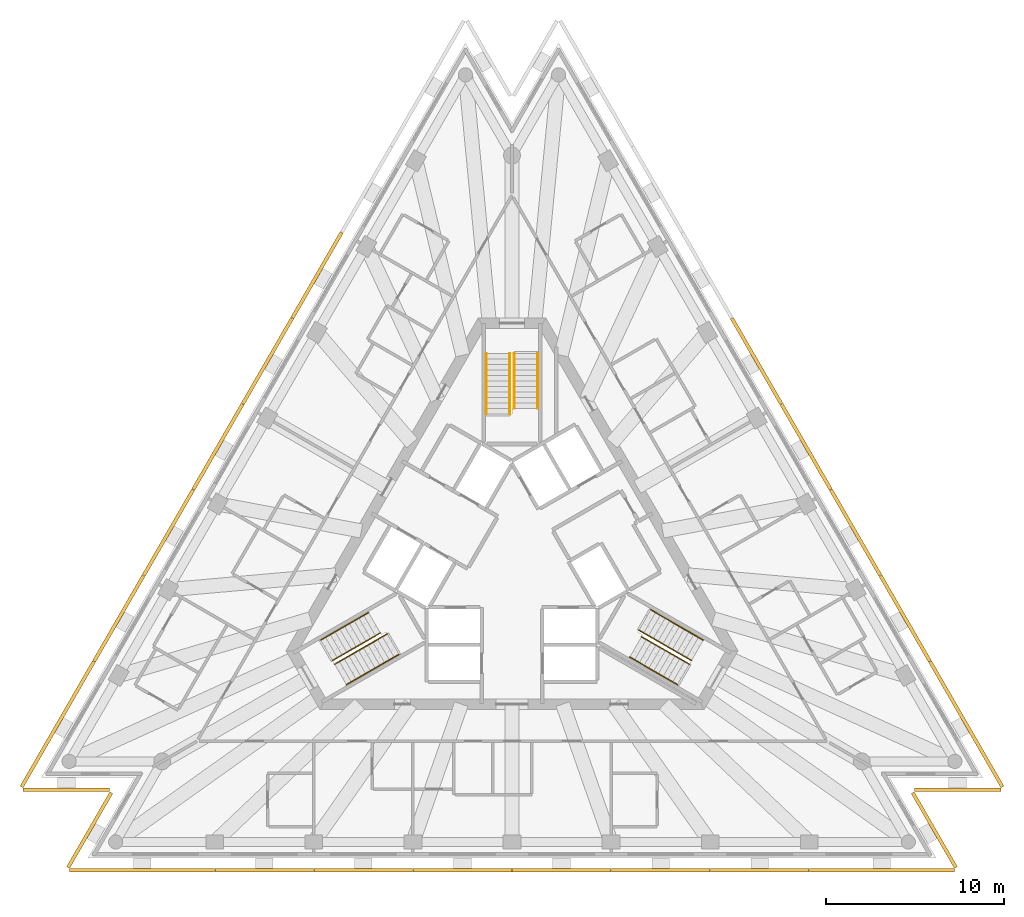
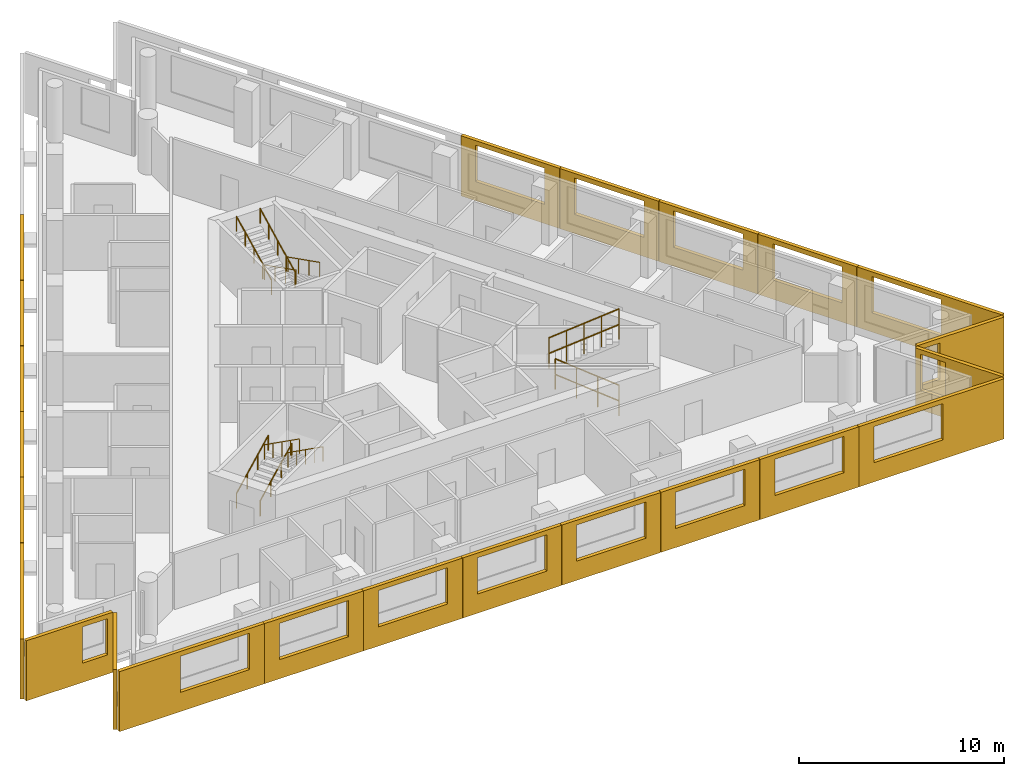
# One storey, part 9 of 10: 23 shading devices, 12 railings, 3 elements without a shape of their own.
"""IFC4 building model written with IfcOpenShell, lengths in metres."""

from ifc_helpers import new_model, si_unit, direction, frame, origin, origin_2d, place, context, subcontext, project, spatial, polyline, circle, outline, extrude, material, layer, layer_set, type_object, element, aggregate, save


model = new_model("IFC4")

# Units and contexts
model_context = context("Model", 3, precision=1e-05, world=origin(), true_north=direction((0.0, 1.0)))
body_context = subcontext(model_context, "Body", "Model", "MODEL_VIEW")
ifc_project = project(units=[si_unit("LENGTHUNIT", "METRE"), si_unit("AREAUNIT", "SQUARE_METRE"), si_unit("VOLUMEUNIT", "CUBIC_METRE"), si_unit("PLANEANGLEUNIT", "RADIAN"), si_unit("MASSUNIT", "GRAM", prefix="KILO")], contexts=[model_context])

# Site, building, storey
site_placement = place(None, origin())
site = spatial("IfcSite", under=ifc_project, at=site_placement, CompositionType="ELEMENT")
building_placement = place(site_placement, origin())
building = spatial("IfcBuilding", under=site, at=building_placement, Name="Triada Interchange Tower", CompositionType="ELEMENT")
storey_placement = place(building_placement, frame((0.0, 0.0, 275.5)))
storey = spatial("IfcBuildingStorey", under=building, at=storey_placement, Name="L64", CompositionType="ELEMENT", Elevation=275.5)

# Shading devices
ifc_material_1 = material(Name="Concrete C50/60 precast", Category="concrete")
ifc_layer_1 = layer(ifc_material_1, 0.02001953125, Name="Exposed aggregate face")
ifc_layer_2 = layer(ifc_material_1, 0.179931640625, Name="Precast concrete screen")
ifc_layer_set = layer_set([ifc_layer_1, ifc_layer_2], Name="Outer skin screen panel 3580")
shading_device_type = type_object("IfcShadingDeviceType", Name="Outer skin screen panel 3580", PredefinedType="SHUTTER", material=ifc_layer_set)
shading_device_1_placement = place(storey_placement, frame((-9.507080078125, 18.366943359375, -0.2900390625), z_axis=(0.0, 0.0, 1.0), x_axis=(-0.500072058625, -0.86598379672, 0.0)))
element("IfcShadingDevice", 1, at=shading_device_1_placement, inside=storey, type_object=shading_device_type, Name="Outer skin screen panel L64 03", PredefinedType="SHUTTER", context=body_context, shape_type="SweptSolid", body=[
    extrude(outline(polyline([(0.0, 0.0), (5.561279296875, 0.0), (5.561279296875, 3.580078125), (0.0, 3.580078125), (0.0, 0.0)]), holes=[polyline([(0.830810546875, 1.139892578125), (0.830810546875, 3.300048828125), (4.730712890625, 3.300048828125), (4.730712890625, 1.139892578125), (0.830810546875, 1.139892578125)])]), frame((0.0, 0.0, 0.0), z_axis=(0.0, -1.0, 0.0), x_axis=(1.0, 0.0, 0.0)), (0.0, 0.0, 1.0), 0.199951171875),
])
shading_device_2_placement = place(storey_placement, frame((-12.298095703125, 13.532958984375, -0.2900390625), z_axis=(0.0, 0.0, 1.0), x_axis=(-0.500072058625, -0.86598379672, 0.0)))
element("IfcShadingDevice", 2, at=shading_device_2_placement, inside=storey, type_object=shading_device_type, Name="Outer skin screen panel L64 04", PredefinedType="SHUTTER", context=body_context, shape_type="SweptSolid", body=[
    extrude(outline(polyline([(0.0, 0.0), (5.561279296875, 0.0), (5.561279296875, 3.580078125), (0.0, 3.580078125), (0.0, 0.0)]), holes=[polyline([(0.830322265625, 1.139892578125), (0.830322265625, 3.300048828125), (4.73046875, 3.300048828125), (4.73046875, 1.139892578125), (0.830322265625, 1.139892578125)])]), frame((0.0, 0.0, 0.0), z_axis=(0.0, -1.0, 0.0), x_axis=(1.0, 0.0, 0.0)), (0.0, 0.0, 1.0), 0.199951171875),
])
shading_device_3_placement = place(storey_placement, frame((-15.089111328125, 8.699951171875, -0.2900390625), z_axis=(0.0, 0.0, 1.0), x_axis=(-0.499907419982, -0.866078848285, 0.0)))
element("IfcShadingDevice", 3, at=shading_device_3_placement, inside=storey, type_object=shading_device_type, Name="Outer skin screen panel L64 05", PredefinedType="SHUTTER", context=body_context, shape_type="SweptSolid", body=[
    extrude(outline(polyline([(0.0, 0.0), (5.560546875, 0.0), (5.560546875, 3.580078125), (0.0, 3.580078125), (0.0, 0.0)]), holes=[polyline([(0.8310546875, 1.139892578125), (0.8310546875, 3.300048828125), (4.731201171875, 3.300048828125), (4.731201171875, 1.139892578125), (0.8310546875, 1.139892578125)])]), frame((0.0, 0.0, 0.0), z_axis=(0.0, -1.0, 0.0), x_axis=(1.0, 0.0, 0.0)), (0.0, 0.0, 1.0), 0.199951171875),
])
shading_device_4_placement = place(storey_placement, frame((-17.87890625, 3.865966796875, -0.2900390625), z_axis=(0.0, 0.0, 1.0), x_axis=(-0.500072058625, -0.86598379672, 0.0)))
element("IfcShadingDevice", 4, at=shading_device_4_placement, inside=storey, type_object=shading_device_type, Name="Outer skin screen panel L64 06", PredefinedType="SHUTTER", context=body_context, shape_type="SweptSolid", body=[
    extrude(outline(polyline([(0.0, 0.0), (5.561279296875, 0.0), (5.561279296875, 3.580078125), (0.0, 3.580078125), (0.0, 0.0)]), holes=[polyline([(0.830810546875, 1.139892578125), (0.830810546875, 3.300048828125), (4.730712890625, 3.300048828125), (4.730712890625, 1.139892578125), (0.830810546875, 1.139892578125)])]), frame((0.0, 0.0, 0.0), z_axis=(0.0, -1.0, 0.0), x_axis=(1.0, 0.0, 0.0)), (0.0, 0.0, 1.0), 0.199951171875),
])
shading_device_5_placement = place(storey_placement, frame((-20.669921875, -0.967041015625, -0.2900390625), z_axis=(0.0, 0.0, 1.0), x_axis=(-0.499996022837, -0.866027699989, 0.0)))
element("IfcShadingDevice", 5, at=shading_device_5_placement, inside=storey, type_object=shading_device_type, Name="Outer skin screen panel L64 07", PredefinedType="SHUTTER", context=body_context, shape_type="SweptSolid", body=[
    extrude(outline(polyline([(0.0, 0.0), (5.56201171875, 0.0), (5.56201171875, 3.580078125), (0.0, 3.580078125), (0.0, 0.0)]), holes=[polyline([(0.830322265625, 1.139892578125), (0.830322265625, 3.300048828125), (4.73046875, 3.300048828125), (4.73046875, 1.139892578125), (0.830322265625, 1.139892578125)])]), frame((0.0, 0.0, 0.0), z_axis=(0.0, -1.0, 0.0), x_axis=(1.0, 0.0, 0.0)), (0.0, 0.0, 1.0), 0.199951171875),
])
shading_device_6_placement = place(storey_placement, frame((-23.4609375, -5.801025390625, -0.2900390625), z_axis=(0.0, 0.0, 1.0), x_axis=(-0.499962486839, -0.866047060935, 0.0)))
element("IfcShadingDevice", 6, at=shading_device_6_placement, inside=storey, type_object=shading_device_type, Name="Outer skin screen panel L64 08", PredefinedType="SHUTTER", context=body_context, shape_type="SweptSolid", body=[
    extrude(outline(polyline([(0.0, 0.0), (8.158935546875, 0.0), (8.158935546875, 3.580078125), (0.0, 3.580078125), (0.0, 0.0)]), holes=[polyline([(0.8310546875, 1.139892578125), (0.8310546875, 3.300048828125), (4.73095703125, 3.300048828125), (4.73095703125, 1.139892578125), (0.8310546875, 1.139892578125)])]), frame((0.0, 0.0, 0.0), z_axis=(0.0, -1.0, 0.0), x_axis=(1.0, 0.0, 0.0)), (0.0, 0.0, 1.0), 0.199951171875),
])
shading_device_7_placement = place(storey_placement, frame((-27.534912109375, -12.8759765625, -0.2900390625), z_axis=(0.0, 0.0, 1.0), x_axis=(1.0, 0.0, 0.0)))
element("IfcShadingDevice", 7, at=shading_device_7_placement, inside=storey, type_object=shading_device_type, Name="Outer skin screen panel L64 09", PredefinedType="SHUTTER", context=body_context, shape_type="SweptSolid", body=[
    extrude(outline(polyline([(0.0, 0.0), (4.8759765625, 0.0), (4.8759765625, 3.580078125), (0.0, 3.580078125), (0.0, 0.0)]), holes=[polyline([(3.175048828125, 1.139892578125), (3.175048828125, 3.300048828125), (4.575927734375, 3.300048828125), (4.575927734375, 1.139892578125), (3.175048828125, 1.139892578125)])]), frame((0.0, 0.0, 0.0), z_axis=(0.0, -1.0, 0.0), x_axis=(1.0, 0.0, 0.0)), (0.0, 0.0, 1.0), 0.199951171875),
])
shading_device_8_placement = place(storey_placement, frame((-22.48095703125, -13.18505859375, -0.2900390625), z_axis=(0.0, 0.0, 1.0), x_axis=(-0.499983942717, -0.866034674262, 0.0)))
element("IfcShadingDevice", 8, at=shading_device_8_placement, inside=storey, type_object=shading_device_type, Name="Outer skin screen panel L64 10", PredefinedType="SHUTTER", context=body_context, shape_type="SweptSolid", body=[
    extrude(outline(polyline([(0.0, 0.0), (4.876220703125, 0.0), (4.876220703125, 3.580078125), (0.0, 3.580078125), (0.0, 0.0)]), holes=[polyline([(0.300048828125, 1.139892578125), (0.300048828125, 3.300048828125), (1.2578125, 3.300048828125), (1.2578125, 1.139892578125), (0.300048828125, 1.139892578125)])]), frame((0.0, 0.0, 0.0), z_axis=(0.0, -1.0, 0.0), x_axis=(1.0, 0.0, 0.0)), (0.0, 0.0, 1.0), 0.199951171875),
])
shading_device_9_placement = place(storey_placement, frame((-24.9140625, -17.4169921875, -0.2900390625), z_axis=(0.0, 0.0, 1.0), x_axis=(1.0, 0.0, 0.0)))
element("IfcShadingDevice", 9, at=shading_device_9_placement, inside=storey, type_object=shading_device_type, Name="Outer skin screen panel L64 11", PredefinedType="SHUTTER", context=body_context, shape_type="SweptSolid", body=[
    extrude(outline(polyline([(0.0, 0.0), (8.16015625, 0.0), (8.16015625, 3.580078125), (0.0, 3.580078125), (0.0, 0.0)]), holes=[polyline([(3.428955078125, 1.139892578125), (3.428955078125, 3.300048828125), (7.3291015625, 3.300048828125), (7.3291015625, 1.139892578125), (3.428955078125, 1.139892578125)])]), frame((0.0, 0.0, 0.0), z_axis=(0.0, -1.0, 0.0), x_axis=(1.0, 0.0, 0.0)), (0.0, 0.0, 1.0), 0.199951171875),
])
shading_device_10_placement = place(storey_placement, frame((-16.735107421875, -17.4169921875, -0.2900390625), z_axis=(0.0, 0.0, 1.0), x_axis=(1.0, 0.0, 0.0)))
element("IfcShadingDevice", 10, at=shading_device_10_placement, inside=storey, type_object=shading_device_type, Name="Outer skin screen panel L64 12", PredefinedType="SHUTTER", context=body_context, shape_type="SweptSolid", body=[
    extrude(outline(polyline([(0.0, 0.0), (5.56201171875, 0.0), (5.56201171875, 3.580078125), (0.0, 3.580078125), (0.0, 0.0)]), holes=[polyline([(0.83056640625, 1.139892578125), (0.83056640625, 3.300048828125), (4.73046875, 3.300048828125), (4.73046875, 1.139892578125), (0.83056640625, 1.139892578125)])]), frame((0.0, 0.0, 0.0), z_axis=(0.0, -1.0, 0.0), x_axis=(1.0, 0.0, 0.0)), (0.0, 0.0, 1.0), 0.199951171875),
])
shading_device_11_placement = place(storey_placement, frame((-11.153076171875, -17.4169921875, -0.2900390625), z_axis=(0.0, 0.0, 1.0), x_axis=(1.0, 0.0, 0.0)))
element("IfcShadingDevice", 11, at=shading_device_11_placement, inside=storey, type_object=shading_device_type, Name="Outer skin screen panel L64 13", PredefinedType="SHUTTER", context=body_context, shape_type="SweptSolid", body=[
    extrude(outline(polyline([(0.0, 0.0), (5.56103515625, 0.0), (5.56103515625, 3.580078125), (0.0, 3.580078125), (0.0, 0.0)]), holes=[polyline([(0.8310546875, 1.139892578125), (0.8310546875, 3.300048828125), (4.73095703125, 3.300048828125), (4.73095703125, 1.139892578125), (0.8310546875, 1.139892578125)])]), frame((0.0, 0.0, 0.0), z_axis=(0.0, -1.0, 0.0), x_axis=(1.0, 0.0, 0.0)), (0.0, 0.0, 1.0), 0.199951171875),
])
shading_device_12_placement = place(storey_placement, frame((-5.571044921875, -17.4169921875, -0.2900390625), z_axis=(0.0, 0.0, 1.0), x_axis=(1.0, 0.0, 0.0)))
element("IfcShadingDevice", 12, at=shading_device_12_placement, inside=storey, type_object=shading_device_type, Name="Outer skin screen panel L64 14", PredefinedType="SHUTTER", context=body_context, shape_type="SweptSolid", body=[
    extrude(outline(polyline([(0.0, 0.0), (5.56103515625, 0.0), (5.56103515625, 3.580078125), (0.0, 3.580078125), (0.0, 0.0)]), holes=[polyline([(0.83056640625, 1.139892578125), (0.83056640625, 3.300048828125), (4.73046875, 3.300048828125), (4.73046875, 1.139892578125), (0.83056640625, 1.139892578125)])]), frame((0.0, 0.0, 0.0), z_axis=(0.0, -1.0, 0.0), x_axis=(1.0, 0.0, 0.0)), (0.0, 0.0, 1.0), 0.199951171875),
])
shading_device_13_placement = place(storey_placement, frame((0.010009765625, -17.4169921875, -0.2900390625), z_axis=(0.0, 0.0, 1.0), x_axis=(1.0, 0.0, 0.0)))
element("IfcShadingDevice", 13, at=shading_device_13_placement, inside=storey, type_object=shading_device_type, Name="Outer skin screen panel L64 15", PredefinedType="SHUTTER", context=body_context, shape_type="SweptSolid", body=[
    extrude(outline(polyline([(0.0, 0.0), (5.56103515625, 0.0), (5.56103515625, 3.580078125), (0.0, 3.580078125), (0.0, 0.0)]), holes=[polyline([(0.8310546875, 1.139892578125), (0.8310546875, 3.300048828125), (4.73095703125, 3.300048828125), (4.73095703125, 1.139892578125), (0.8310546875, 1.139892578125)])]), frame((0.0, 0.0, 0.0), z_axis=(0.0, -1.0, 0.0), x_axis=(1.0, 0.0, 0.0)), (0.0, 0.0, 1.0), 0.199951171875),
])
shading_device_14_placement = place(storey_placement, frame((5.592041015625, -17.4169921875, -0.2900390625), z_axis=(0.0, 0.0, 1.0), x_axis=(1.0, 0.0, 0.0)))
element("IfcShadingDevice", 14, at=shading_device_14_placement, inside=storey, type_object=shading_device_type, Name="Outer skin screen panel L64 16", PredefinedType="SHUTTER", context=body_context, shape_type="SweptSolid", body=[
    extrude(outline(polyline([(0.0, 0.0), (5.56103515625, 0.0), (5.56103515625, 3.580078125), (0.0, 3.580078125), (0.0, 0.0)]), holes=[polyline([(0.83056640625, 1.139892578125), (0.83056640625, 3.300048828125), (4.73046875, 3.300048828125), (4.73046875, 1.139892578125), (0.83056640625, 1.139892578125)])]), frame((0.0, 0.0, 0.0), z_axis=(0.0, -1.0, 0.0), x_axis=(1.0, 0.0, 0.0)), (0.0, 0.0, 1.0), 0.199951171875),
])
shading_device_15_placement = place(storey_placement, frame((11.173095703125, -17.4169921875, -0.2900390625), z_axis=(0.0, 0.0, 1.0), x_axis=(1.0, 0.0, 0.0)))
element("IfcShadingDevice", 15, at=shading_device_15_placement, inside=storey, type_object=shading_device_type, Name="Outer skin screen panel L64 17", PredefinedType="SHUTTER", context=body_context, shape_type="SweptSolid", body=[
    extrude(outline(polyline([(0.0, 0.0), (5.56201171875, 0.0), (5.56201171875, 3.580078125), (0.0, 3.580078125), (0.0, 0.0)]), holes=[polyline([(0.8310546875, 1.139892578125), (0.8310546875, 3.300048828125), (4.73095703125, 3.300048828125), (4.73095703125, 1.139892578125), (0.8310546875, 1.139892578125)])]), frame((0.0, 0.0, 0.0), z_axis=(0.0, -1.0, 0.0), x_axis=(1.0, 0.0, 0.0)), (0.0, 0.0, 1.0), 0.199951171875),
])
shading_device_16_placement = place(storey_placement, frame((16.7548828125, -17.4169921875, -0.2900390625), z_axis=(0.0, 0.0, 1.0), x_axis=(1.0, 0.0, 0.0)))
element("IfcShadingDevice", 16, at=shading_device_16_placement, inside=storey, type_object=shading_device_type, Name="Outer skin screen panel L64 18", PredefinedType="SHUTTER", context=body_context, shape_type="SweptSolid", body=[
    extrude(outline(polyline([(0.0, 0.0), (8.1591796875, 0.0), (8.1591796875, 3.580078125), (0.0, 3.580078125), (0.0, 0.0)]), holes=[polyline([(0.83056640625, 1.139892578125), (0.83056640625, 3.300048828125), (4.73046875, 3.300048828125), (4.73046875, 1.139892578125), (0.83056640625, 1.139892578125)])]), frame((0.0, 0.0, 0.0), z_axis=(0.0, -1.0, 0.0), x_axis=(1.0, 0.0, 0.0)), (0.0, 0.0, 1.0), 0.199951171875),
])
shading_device_17_placement = place(storey_placement, frame((24.9189453125, -17.407958984375, -0.2900390625), z_axis=(0.0, 0.0, 1.0), x_axis=(-0.499983942717, 0.866034674262, 0.0)))
element("IfcShadingDevice", 17, at=shading_device_17_placement, inside=storey, type_object=shading_device_type, Name="Outer skin screen panel L64 19", PredefinedType="SHUTTER", context=body_context, shape_type="SweptSolid", body=[
    extrude(outline(polyline([(0.0, 0.0), (4.876220703125, 0.0), (4.876220703125, 3.580078125), (0.0, 3.580078125), (0.0, 0.0)]), holes=[polyline([(3.17529296875, 1.139892578125), (3.17529296875, 3.300048828125), (4.576904296875, 3.300048828125), (4.576904296875, 1.139892578125), (3.17529296875, 1.139892578125)])]), frame((0.0, 0.0, 0.0), z_axis=(0.0, -1.0, 0.0), x_axis=(1.0, 0.0, 0.0)), (0.0, 0.0, 1.0), 0.199951171875),
])
shading_device_18_placement = place(storey_placement, frame((22.658935546875, -12.8759765625, -0.2900390625), z_axis=(0.0, 0.0, 1.0), x_axis=(1.0, 0.0, 0.0)))
element("IfcShadingDevice", 18, at=shading_device_18_placement, inside=storey, type_object=shading_device_type, Name="Outer skin screen panel L64 20", PredefinedType="SHUTTER", context=body_context, shape_type="SweptSolid", body=[
    extrude(outline(polyline([(0.0, 0.0), (4.8759765625, 0.0), (4.8759765625, 3.580078125), (0.0, 3.580078125), (0.0, 0.0)]), holes=[polyline([(0.300048828125, 1.139892578125), (0.300048828125, 3.300048828125), (1.258056640625, 3.300048828125), (1.258056640625, 1.139892578125), (0.300048828125, 1.139892578125)])]), frame((0.0, 0.0, 0.0), z_axis=(0.0, -1.0, 0.0), x_axis=(1.0, 0.0, 0.0)), (0.0, 0.0, 1.0), 0.199951171875),
])
shading_device_19_placement = place(storey_placement, frame((27.5400390625, -12.866943359375, -0.2900390625), z_axis=(0.0, 0.0, 1.0), x_axis=(-0.499962486839, 0.866047060935, 0.0)))
element("IfcShadingDevice", 19, at=shading_device_19_placement, inside=storey, type_object=shading_device_type, Name="Outer skin screen panel L64 21", PredefinedType="SHUTTER", context=body_context, shape_type="SweptSolid", body=[
    extrude(outline(polyline([(0.0, 0.0), (8.158935546875, 0.0), (8.158935546875, 3.580078125), (0.0, 3.580078125), (0.0, 0.0)]), holes=[polyline([(3.42822265625, 1.139892578125), (3.42822265625, 3.300048828125), (7.328369140625, 3.300048828125), (7.328369140625, 1.139892578125), (3.42822265625, 1.139892578125)])]), frame((0.0, 0.0, 0.0), z_axis=(0.0, -1.0, 0.0), x_axis=(1.0, 0.0, 0.0)), (0.0, 0.0, 1.0), 0.199951171875),
])
shading_device_20_placement = place(storey_placement, frame((23.450927734375, -5.783935546875, -0.2900390625), z_axis=(0.0, 0.0, 1.0), x_axis=(-0.499996022837, 0.866027699989, 0.0)))
element("IfcShadingDevice", 20, at=shading_device_20_placement, inside=storey, type_object=shading_device_type, Name="Outer skin screen panel L64 22", PredefinedType="SHUTTER", context=body_context, shape_type="SweptSolid", body=[
    extrude(outline(polyline([(0.0, 0.0), (5.56201171875, 0.0), (5.56201171875, 3.580078125), (0.0, 3.580078125), (0.0, 0.0)]), holes=[polyline([(0.830810546875, 1.139892578125), (0.830810546875, 3.300048828125), (4.73095703125, 3.300048828125), (4.73095703125, 1.139892578125), (0.830810546875, 1.139892578125)])]), frame((0.0, 0.0, 0.0), z_axis=(0.0, -1.0, 0.0), x_axis=(1.0, 0.0, 0.0)), (0.0, 0.0, 1.0), 0.199951171875),
])
shading_device_21_placement = place(storey_placement, frame((20.659912109375, -0.949951171875, -0.2900390625), z_axis=(0.0, 0.0, 1.0), x_axis=(-0.500072058625, 0.86598379672, 0.0)))
element("IfcShadingDevice", 21, at=shading_device_21_placement, inside=storey, type_object=shading_device_type, Name="Outer skin screen panel L64 23", PredefinedType="SHUTTER", context=body_context, shape_type="SweptSolid", body=[
    extrude(outline(polyline([(0.0, 0.0), (5.561279296875, 0.0), (5.561279296875, 3.580078125), (0.0, 3.580078125), (0.0, 0.0)]), holes=[polyline([(0.83056640625, 1.139892578125), (0.83056640625, 3.300048828125), (4.73046875, 3.300048828125), (4.73046875, 1.139892578125), (0.83056640625, 1.139892578125)])]), frame((0.0, 0.0, 0.0), z_axis=(0.0, -1.0, 0.0), x_axis=(1.0, 0.0, 0.0)), (0.0, 0.0, 1.0), 0.199951171875),
])
shading_device_22_placement = place(storey_placement, frame((17.868896484375, 3.884033203125, -0.2900390625), z_axis=(0.0, 0.0, 1.0), x_axis=(-0.499907419982, 0.866078848285, 0.0)))
element("IfcShadingDevice", 22, at=shading_device_22_placement, inside=storey, type_object=shading_device_type, Name="Outer skin screen panel L64 24", PredefinedType="SHUTTER", context=body_context, shape_type="SweptSolid", body=[
    extrude(outline(polyline([(0.0, 0.0), (5.560546875, 0.0), (5.560546875, 3.580078125), (0.0, 3.580078125), (0.0, 0.0)]), holes=[polyline([(0.830078125, 1.139892578125), (0.830078125, 3.300048828125), (4.730224609375, 3.300048828125), (4.730224609375, 1.139892578125), (0.830078125, 1.139892578125)])]), frame((0.0, 0.0, 0.0), z_axis=(0.0, -1.0, 0.0), x_axis=(1.0, 0.0, 0.0)), (0.0, 0.0, 1.0), 0.199951171875),
])
shading_device_23_placement = place(storey_placement, frame((15.0791015625, 8.717041015625, -0.2900390625), z_axis=(0.0, 0.0, 1.0), x_axis=(-0.500072058625, 0.86598379672, 0.0)))
element("IfcShadingDevice", 23, at=shading_device_23_placement, inside=storey, type_object=shading_device_type, Name="Outer skin screen panel L64 25", PredefinedType="SHUTTER", context=body_context, shape_type="SweptSolid", body=[
    extrude(outline(polyline([(0.0, 0.0), (5.561279296875, 0.0), (5.561279296875, 3.580078125), (0.0, 3.580078125), (0.0, 0.0)]), holes=[polyline([(0.830810546875, 1.139892578125), (0.830810546875, 3.300048828125), (4.730712890625, 3.300048828125), (4.730712890625, 1.139892578125), (0.830810546875, 1.139892578125)])]), frame((0.0, 0.0, 0.0), z_axis=(0.0, -1.0, 0.0), x_axis=(1.0, 0.0, 0.0)), (0.0, 0.0, 1.0), 0.199951171875),
])

# Stair, railings
ifc_material_2 = material(Name="Concrete C35/45", Category="concrete")
stair_type = type_object("IfcStairType", Name="HALF TURN STAIR 1400", PredefinedType="HALF_TURN_STAIR", material=ifc_material_2)
stair_1_placement = place(storey_placement, origin())
stair_1 = element("IfcStair", 24, at=stair_1_placement, inside=storey, type_object=stair_type, Name="Exit stair S62-1", PredefinedType="HALF_TURN_STAIR")
ifc_material_3 = material(Name="Stainless steel 1.4301", Category="steel")
railing_type = type_object("IfcRailingType", Name="STAIR HANDRAIL 900", PredefinedType="HANDRAIL", material=ifc_material_3)
railing_1_placement = place(storey_placement, frame((1.449951171875, 11.60009765625, 0.156494140625)))
railing_1 = element("IfcRailing", 25, at=railing_1_placement, type_object=railing_type, Name="Handrail S62-1 1W", PredefinedType="HANDRAIL", context=body_context, shape_type="SweptSolid", body=[
    extrude(circle(Radius=0.02392578125, at=origin_2d()), frame((0.0, 0.0, 0.8759765625), z_axis=(0.0, -0.89267693942, 0.450697106522), x_axis=(1.0, 0.0, 0.0)), (0.0, 0.0, 1.0), 3.472900390625),
    extrude(circle(Radius=0.02099609375, at=origin_2d()), origin(), (0.0, 0.0, 1.0), 0.851806640625),
    extrude(circle(Radius=0.02099609375, at=origin_2d()), frame((0.0, -1.033447265625, 0.521728515625)), (0.0, 0.0, 1.0), 0.851806640625),
    extrude(circle(Radius=0.02099609375, at=origin_2d()), frame((0.0, -2.066650390625, 1.04345703125)), (0.0, 0.0, 1.0), 0.851806640625),
    extrude(circle(Radius=0.02099609375, at=origin_2d()), frame((0.0, -3.10009765625, 1.565185546875)), (0.0, 0.0, 1.0), 0.851806640625),
])
railing_2_placement = place(storey_placement, frame((0.1201171875, 11.60009765625, 0.156494140625)))
railing_2 = element("IfcRailing", 26, at=railing_2_placement, type_object=railing_type, Name="Handrail S62-1 1C", PredefinedType="HANDRAIL", context=body_context, shape_type="SweptSolid", body=[
    extrude(circle(Radius=0.02392578125, at=origin_2d()), frame((0.0, 0.0, 0.8759765625), z_axis=(0.0, -0.89267693942, 0.450697106522), x_axis=(1.0, 0.0, 0.0)), (0.0, 0.0, 1.0), 3.472900390625),
    extrude(circle(Radius=0.02099609375, at=origin_2d()), origin(), (0.0, 0.0, 1.0), 0.851806640625),
    extrude(circle(Radius=0.02099609375, at=origin_2d()), frame((0.0, -1.033447265625, 0.521728515625)), (0.0, 0.0, 1.0), 0.851806640625),
    extrude(circle(Radius=0.02099609375, at=origin_2d()), frame((0.0, -2.066650390625, 1.04345703125)), (0.0, 0.0, 1.0), 0.851806640625),
    extrude(circle(Radius=0.02099609375, at=origin_2d()), frame((0.0, -3.10009765625, 1.565185546875)), (0.0, 0.0, 1.0), 0.851806640625),
])
railing_3_placement = place(storey_placement, frame((-1.449951171875, 8.18994140625, 1.878173828125)))
railing_3 = element("IfcRailing", 27, at=railing_3_placement, type_object=railing_type, Name="Handrail S62-1 2W", PredefinedType="HANDRAIL", context=body_context, shape_type="SweptSolid", body=[
    extrude(circle(Radius=0.02392578125, at=origin_2d()), frame((0.0, 0.0, 0.8759765625), z_axis=(0.0, 0.892682106939, 0.450686871287), x_axis=(-1.0, 0.0, 0.0)), (0.0, 0.0, 1.0), 3.820068359375),
    extrude(circle(Radius=0.02099609375, at=origin_2d()), origin(), (0.0, 0.0, 1.0), 0.851806640625),
    extrude(circle(Radius=0.02099609375, at=origin_2d()), frame((0.0, 0.8525390625, 0.430419921875)), (0.0, 0.0, 1.0), 0.851806640625),
    extrude(circle(Radius=0.02099609375, at=origin_2d()), frame((0.0, 1.705078125, 0.86083984375)), (0.0, 0.0, 1.0), 0.851806640625),
    extrude(circle(Radius=0.02099609375, at=origin_2d()), frame((0.0, 2.5576171875, 1.291259765625)), (0.0, 0.0, 1.0), 0.851806640625),
    extrude(circle(Radius=0.02099609375, at=origin_2d()), frame((0.0, 3.41015625, 1.7216796875)), (0.0, 0.0, 1.0), 0.851806640625),
])
railing_4_placement = place(storey_placement, frame((-0.1201171875, 8.18994140625, 1.878173828125)))
railing_4 = element("IfcRailing", 28, at=railing_4_placement, type_object=railing_type, Name="Handrail S62-1 2C", PredefinedType="HANDRAIL", context=body_context, shape_type="SweptSolid", body=[
    extrude(circle(Radius=0.02392578125, at=origin_2d()), frame((0.0, 0.0, 0.8759765625), z_axis=(0.0, 0.892682106939, 0.450686871287), x_axis=(-1.0, 0.0, 0.0)), (0.0, 0.0, 1.0), 3.820068359375),
    extrude(circle(Radius=0.02099609375, at=origin_2d()), origin(), (0.0, 0.0, 1.0), 0.851806640625),
    extrude(circle(Radius=0.02099609375, at=origin_2d()), frame((0.0, 0.8525390625, 0.430419921875)), (0.0, 0.0, 1.0), 0.851806640625),
    extrude(circle(Radius=0.02099609375, at=origin_2d()), frame((0.0, 1.705078125, 0.86083984375)), (0.0, 0.0, 1.0), 0.851806640625),
    extrude(circle(Radius=0.02099609375, at=origin_2d()), frame((0.0, 2.5576171875, 1.291259765625)), (0.0, 0.0, 1.0), 0.851806640625),
    extrude(circle(Radius=0.02099609375, at=origin_2d()), frame((0.0, 3.41015625, 1.7216796875)), (0.0, 0.0, 1.0), 0.851806640625),
])
aggregate(stair_1, [railing_1, railing_2, railing_3, railing_4])

stair_2_placement = place(storey_placement, origin())
stair_2 = element("IfcStair", 29, at=stair_2_placement, inside=storey, type_object=stair_type, Name="Exit stair S62-2", PredefinedType="HALF_TURN_STAIR")
railing_5_placement = place(storey_placement, frame((-10.77099609375, -4.5439453125, 0.156494140625)))
railing_5 = element("IfcRailing", 30, at=railing_5_placement, type_object=railing_type, Name="Handrail S62-2 1W", PredefinedType="HANDRAIL", context=body_context, shape_type="SweptSolid", body=[
    extrude(circle(Radius=0.02392578125, at=origin_2d()), frame((0.0, 0.0, 0.8759765625), z_axis=(0.773115112249, 0.446309133267, 0.4506674836), x_axis=(-0.499958760481, 0.866049212123, 0.0)), (0.0, 0.0, 1.0), 3.47314453125),
    extrude(circle(Radius=0.02099609375, at=origin_2d()), origin(), (0.0, 0.0, 1.0), 0.851806640625),
    extrude(circle(Radius=0.02099609375, at=origin_2d()), frame((0.89501953125, 0.5166015625, 0.521728515625)), (0.0, 0.0, 1.0), 0.851806640625),
    extrude(circle(Radius=0.02099609375, at=origin_2d()), frame((1.7900390625, 1.033447265625, 1.04345703125)), (0.0, 0.0, 1.0), 0.851806640625),
    extrude(circle(Radius=0.02099609375, at=origin_2d()), frame((2.68505859375, 1.550048828125, 1.565185546875)), (0.0, 0.0, 1.0), 0.851806640625),
])
railing_6_placement = place(storey_placement, frame((-10.10595703125, -5.696044921875, 0.156494140625)))
railing_6 = element("IfcRailing", 31, at=railing_6_placement, type_object=railing_type, Name="Handrail S62-2 1C", PredefinedType="HANDRAIL", context=body_context, shape_type="SweptSolid", body=[
    extrude(circle(Radius=0.02392578125, at=origin_2d()), frame((0.0, 0.0, 0.8759765625), z_axis=(0.773115112249, 0.446309133267, 0.4506674836), x_axis=(-0.499958760481, 0.866049212123, 0.0)), (0.0, 0.0, 1.0), 3.47314453125),
    extrude(circle(Radius=0.02099609375, at=origin_2d()), origin(), (0.0, 0.0, 1.0), 0.851806640625),
    extrude(circle(Radius=0.02099609375, at=origin_2d()), frame((0.89501953125, 0.5166015625, 0.521728515625)), (0.0, 0.0, 1.0), 0.851806640625),
    extrude(circle(Radius=0.02099609375, at=origin_2d()), frame((1.7900390625, 1.033447265625, 1.04345703125)), (0.0, 0.0, 1.0), 0.851806640625),
    extrude(circle(Radius=0.02099609375, at=origin_2d()), frame((2.68505859375, 1.550048828125, 1.565185546875)), (0.0, 0.0, 1.0), 0.851806640625),
])
railing_7_placement = place(storey_placement, frame((-6.367919921875, -5.35107421875, 1.878173828125)))
railing_7 = element("IfcRailing", 32, at=railing_7_placement, type_object=railing_type, Name="Handrail S62-2 2W", PredefinedType="HANDRAIL", context=body_context, shape_type="SweptSolid", body=[
    extrude(circle(Radius=0.02392578125, at=origin_2d()), frame((0.0, 0.0, 0.8759765625), z_axis=(-0.773090904651, -0.446304049866, 0.450714042625), x_axis=(0.499966231165, -0.866044899352, 0.0)), (0.0, 0.0, 1.0), 3.81982421875),
    extrude(circle(Radius=0.02099609375, at=origin_2d()), origin(), (0.0, 0.0, 1.0), 0.851806640625),
    extrude(circle(Radius=0.02099609375, at=origin_2d()), frame((-0.73828125, -0.42626953125, 0.430419921875)), (0.0, 0.0, 1.0), 0.851806640625),
    extrude(circle(Radius=0.02099609375, at=origin_2d()), frame((-1.4765625, -0.8525390625, 0.86083984375)), (0.0, 0.0, 1.0), 0.851806640625),
    extrude(circle(Radius=0.02099609375, at=origin_2d()), frame((-2.21484375, -1.278564453125, 1.291259765625)), (0.0, 0.0, 1.0), 0.851806640625),
    extrude(circle(Radius=0.02099609375, at=origin_2d()), frame((-2.953125, -1.704833984375, 1.7216796875)), (0.0, 0.0, 1.0), 0.851806640625),
])
railing_8_placement = place(storey_placement, frame((-7.032958984375, -4.198974609375, 1.878173828125)))
railing_8 = element("IfcRailing", 33, at=railing_8_placement, type_object=railing_type, Name="Handrail S62-2 2C", PredefinedType="HANDRAIL", context=body_context, shape_type="SweptSolid", body=[
    extrude(circle(Radius=0.02392578125, at=origin_2d()), frame((0.0, 0.0, 0.8759765625), z_axis=(-0.773068851904, -0.446355229968, 0.450701185816), x_axis=(0.50001992892, -0.866013897511, 0.0)), (0.0, 0.0, 1.0), 3.820068359375),
    extrude(circle(Radius=0.02099609375, at=origin_2d()), origin(), (0.0, 0.0, 1.0), 0.851806640625),
    extrude(circle(Radius=0.02099609375, at=origin_2d()), frame((-0.73828125, -0.42626953125, 0.430419921875)), (0.0, 0.0, 1.0), 0.851806640625),
    extrude(circle(Radius=0.02099609375, at=origin_2d()), frame((-1.4765625, -0.8525390625, 0.86083984375)), (0.0, 0.0, 1.0), 0.851806640625),
    extrude(circle(Radius=0.02099609375, at=origin_2d()), frame((-2.21484375, -1.27880859375, 1.291259765625)), (0.0, 0.0, 1.0), 0.851806640625),
    extrude(circle(Radius=0.02099609375, at=origin_2d()), frame((-2.953125, -1.705078125, 1.7216796875)), (0.0, 0.0, 1.0), 0.851806640625),
])
aggregate(stair_2, [railing_5, railing_6, railing_7, railing_8])

stair_3_placement = place(storey_placement, origin())
stair_3 = element("IfcStair", 34, at=stair_3_placement, inside=storey, type_object=stair_type, Name="Exit stair S62-3", PredefinedType="HALF_TURN_STAIR")
railing_9_placement = place(storey_placement, frame((9.321044921875, -7.055908203125, 0.156494140625)))
railing_9 = element("IfcRailing", 35, at=railing_9_placement, type_object=railing_type, Name="Handrail S62-3 1W", PredefinedType="HANDRAIL", context=body_context, shape_type="SweptSolid", body=[
    extrude(circle(Radius=0.02392578125, at=origin_2d()), frame((0.0, 0.0, 0.8759765625), z_axis=(-0.773139366989, 0.446252837029, 0.450681622274), x_axis=(-0.499899694197, -0.866083307622, 0.0)), (0.0, 0.0, 1.0), 3.472900390625),
    extrude(circle(Radius=0.02099609375, at=origin_2d()), origin(), (0.0, 0.0, 1.0), 0.851806640625),
    extrude(circle(Radius=0.02099609375, at=origin_2d()), frame((-0.89501953125, 0.5166015625, 0.521728515625)), (0.0, 0.0, 1.0), 0.851806640625),
    extrude(circle(Radius=0.02099609375, at=origin_2d()), frame((-1.7900390625, 1.033203125, 1.04345703125)), (0.0, 0.0, 1.0), 0.851806640625),
    extrude(circle(Radius=0.02099609375, at=origin_2d()), frame((-2.68505859375, 1.5498046875, 1.565185546875)), (0.0, 0.0, 1.0), 0.851806640625),
])
railing_10_placement = place(storey_placement, frame((9.986083984375, -5.904052734375, 0.156494140625)))
railing_10 = element("IfcRailing", 36, at=railing_10_placement, type_object=railing_type, Name="Handrail S62-3 1C", PredefinedType="HANDRAIL", context=body_context, shape_type="SweptSolid", body=[
    extrude(circle(Radius=0.02392578125, at=origin_2d()), frame((0.0, 0.0, 0.8759765625), z_axis=(-0.773115112249, 0.446309133267, 0.4506674836), x_axis=(-0.499958760481, -0.866049212123, 0.0)), (0.0, 0.0, 1.0), 3.47314453125),
    extrude(circle(Radius=0.02099609375, at=origin_2d()), origin(), (0.0, 0.0, 1.0), 0.851806640625),
    extrude(circle(Radius=0.02099609375, at=origin_2d()), frame((-0.89501953125, 0.5166015625, 0.521728515625)), (0.0, 0.0, 1.0), 0.851806640625),
    extrude(circle(Radius=0.02099609375, at=origin_2d()), frame((-1.7900390625, 1.033447265625, 1.04345703125)), (0.0, 0.0, 1.0), 0.851806640625),
    extrude(circle(Radius=0.02099609375, at=origin_2d()), frame((-2.68505859375, 1.550048828125, 1.565185546875)), (0.0, 0.0, 1.0), 0.851806640625),
])
railing_11_placement = place(storey_placement, frame((7.818115234375, -2.839111328125, 1.878173828125)))
railing_11 = element("IfcRailing", 37, at=railing_11_placement, type_object=railing_type, Name="Handrail S62-3 2W", PredefinedType="HANDRAIL", context=body_context, shape_type="SweptSolid", body=[
    extrude(circle(Radius=0.02392578125, at=origin_2d()), frame((0.0, 0.0, 0.8759765625), z_axis=(0.773065188623, -0.4463261027, 0.450736313367), x_axis=(0.499997234054, 0.866027000698, 0.0)), (0.0, 0.0, 1.0), 3.81982421875),
    extrude(circle(Radius=0.02099609375, at=origin_2d()), origin(), (0.0, 0.0, 1.0), 0.851806640625),
    extrude(circle(Radius=0.02099609375, at=origin_2d()), frame((0.73828125, -0.42626953125, 0.430419921875)), (0.0, 0.0, 1.0), 0.851806640625),
    extrude(circle(Radius=0.02099609375, at=origin_2d()), frame((1.4765625, -0.8525390625, 0.86083984375)), (0.0, 0.0, 1.0), 0.851806640625),
    extrude(circle(Radius=0.02099609375, at=origin_2d()), frame((2.214599609375, -1.278564453125, 1.291259765625)), (0.0, 0.0, 1.0), 0.851806640625),
    extrude(circle(Radius=0.02099609375, at=origin_2d()), frame((2.952880859375, -1.704833984375, 1.7216796875)), (0.0, 0.0, 1.0), 0.851806640625),
])
railing_12_placement = place(storey_placement, frame((7.153076171875, -3.990966796875, 1.878173828125)))
railing_12 = element("IfcRailing", 38, at=railing_12_placement, type_object=railing_type, Name="Handrail S62-3 2C", PredefinedType="HANDRAIL", context=body_context, shape_type="SweptSolid", body=[
    extrude(circle(Radius=0.02392578125, at=origin_2d()), frame((0.0, 0.0, 0.8759765625), z_axis=(0.773043134431, -0.446377284073, 0.450723454651), x_axis=(0.500050932918, 0.865995995653, 0.0)), (0.0, 0.0, 1.0), 3.81982421875),
    extrude(circle(Radius=0.02099609375, at=origin_2d()), origin(), (0.0, 0.0, 1.0), 0.851806640625),
    extrude(circle(Radius=0.02099609375, at=origin_2d()), frame((0.73828125, -0.42626953125, 0.430419921875)), (0.0, 0.0, 1.0), 0.851806640625),
    extrude(circle(Radius=0.02099609375, at=origin_2d()), frame((1.4765625, -0.8525390625, 0.86083984375)), (0.0, 0.0, 1.0), 0.851806640625),
    extrude(circle(Radius=0.02099609375, at=origin_2d()), frame((2.214599609375, -1.27880859375, 1.291259765625)), (0.0, 0.0, 1.0), 0.851806640625),
    extrude(circle(Radius=0.02099609375, at=origin_2d()), frame((2.952880859375, -1.705078125, 1.7216796875)), (0.0, 0.0, 1.0), 0.851806640625),
])
aggregate(stair_3, [railing_9, railing_10, railing_11, railing_12])

save(model, "model.ifc")
